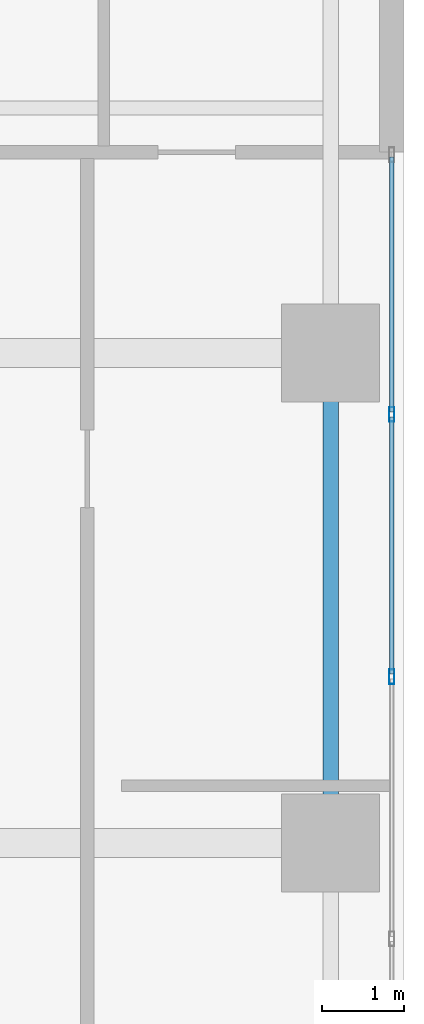
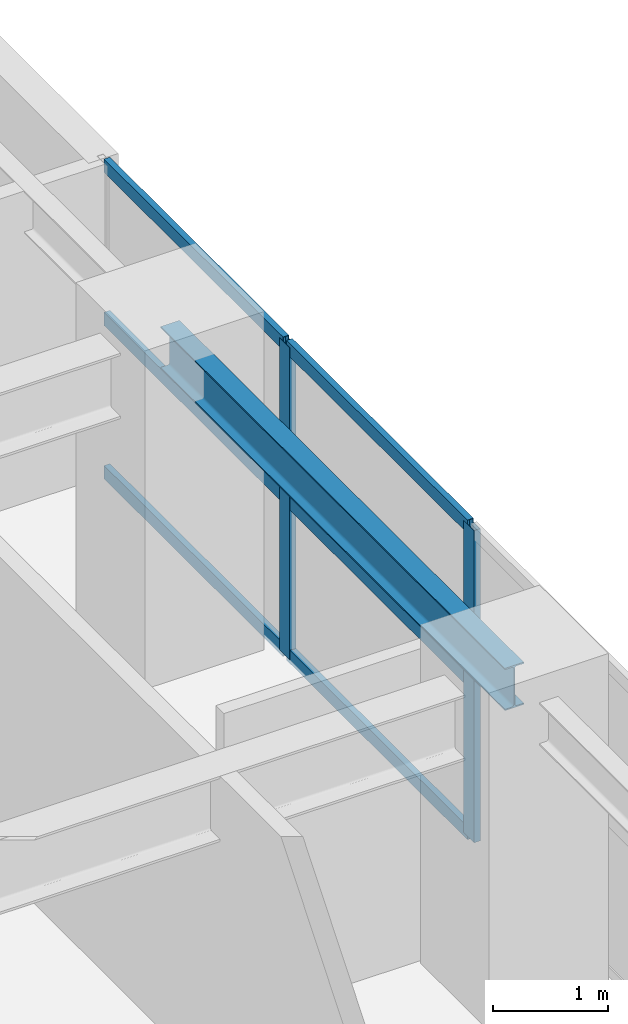
# One storey, part 9 of 24: 8 members, 1 beam, 1 element without a shape of its own.
"""IFC4 building model written with IfcOpenShell, lengths in metres."""

from ifc_helpers import new_model, si_unit, direction, frame, origin, origin_2d, place, context, subcontext, project, spatial, hollow_rectangle, i_section, extrude, source, transform, mapped, material, layer, layer_set, material_profile, profile_set, type_object, element, aggregate, save


model = new_model("IFC4")

# Units and contexts
model_context = context("Model", 3, precision=1e-05, world=origin(), true_north=direction((0.0, 1.0)))
body_context = subcontext(model_context, "Body", "Model", "MODEL_VIEW")
ifc_project = project(units=[si_unit("LENGTHUNIT", "METRE"), si_unit("AREAUNIT", "SQUARE_METRE"), si_unit("VOLUMEUNIT", "CUBIC_METRE"), si_unit("PLANEANGLEUNIT", "RADIAN"), si_unit("MASSUNIT", "GRAM", prefix="KILO")], contexts=[model_context])

# Site, building, storey
site_placement = place(None, origin())
site = spatial("IfcSite", under=ifc_project, at=site_placement, CompositionType="ELEMENT")
building_placement = place(site_placement, origin())
building = spatial("IfcBuilding", under=site, at=building_placement, Name="Khoralis Quay Care Tower", CompositionType="ELEMENT")
storey_placement = place(building_placement, frame((0.0, 0.0, 62.10009765625)))
storey = spatial("IfcBuildingStorey", under=building, at=storey_placement, Name="L16", CompositionType="ELEMENT", Elevation=62.10009765625)

# Beam
ifc_material_1 = material(Name="Steel S355", Category="steel")
ifc_material_profile_1 = material_profile(ifc_material_1, i_section(OverallWidth=0.18994140625, OverallDepth=0.449951171875, WebThickness=0.009521484375, FlangeThickness=0.0146484375, FilletRadius=0.02099609375, at=origin_2d()), Name="Steel S355")
ifc_profile_set_1 = profile_set([ifc_material_profile_1], Name="Steel S355")
beam_type = type_object("IfcBeamType", Name="BM-IPE450", PredefinedType="SPANDREL", material=ifc_profile_set_1)
shared_shape_1 = source(origin(), body_context, "Body", "SweptSolid", [
    extrude(i_section(OverallWidth=0.18994140625, OverallDepth=0.449951171875, WebThickness=0.009521484375, FlangeThickness=0.0146484375, FilletRadius=0.02099609375, at=origin_2d()), origin(), (0.0, 0.0, 1.0), 6.0),
])
beam_placement = place(storey_placement, frame((47.10009765625, 24.0, 3.094970703125), z_axis=(0.0, 1.0, 0.0), x_axis=(-1.0, 0.0, 0.0)))
element("IfcBeam", 1, at=beam_placement, inside=storey, type_object=beam_type, Name="BM-TSP-L16-22", PredefinedType="SPANDREL", context=body_context, shape_type="MappedRepresentation", body=[
    mapped(shared_shape_1, transform((0.0, 0.0, 0.0), scale=1.0)),
])

# Curtain wall, members
ifc_material_2 = material(Name="Pale anodised aluminium", Category="aluminium")
ifc_layer = layer(ifc_material_2, 0.179931640625)
ifc_layer_set = layer_set([ifc_layer], Name="Pale anodised aluminium")
curtain_wall_type = type_object("IfcCurtainWallType", Name="CW-SYS-Z1", PredefinedType="NOTDEFINED", material=ifc_layer_set)
curtain_wall_placement = place(storey_placement, origin())
curtain_wall = element("IfcCurtainWall", 2, at=curtain_wall_placement, inside=storey, type_object=curtain_wall_type, Name="L16 Unitised Curtain Wall CW-L16-P1-E5", PredefinedType="NOTDEFINED")
ifc_material_profile_2 = material_profile(ifc_material_2, hollow_rectangle(XDim=0.06005859375, YDim=0.139892578125, WallThickness=0.00390625, at=origin_2d()), Name="Pale anodised aluminium")
ifc_profile_set_2 = profile_set([ifc_material_profile_2], Name="Pale anodised aluminium")
member_type_1 = type_object("IfcMemberType", Name="CW-TRN-140", PredefinedType="USERDEFINED", material=ifc_profile_set_2)
shared_shape_2 = source(origin(), body_context, "Body", "SweptSolid", [
    extrude(hollow_rectangle(XDim=0.06005859375, YDim=0.139892578125, WallThickness=0.00390625, at=origin_2d()), origin(), (0.0, 0.0, 1.0), 3.152099609375),
])
member_1_placement = place(storey_placement, frame((47.85009765625, 26.06591796875, 0.02978515625), z_axis=(0.0, 1.0, 0.0), x_axis=(-1.0, 0.0, 0.0)))
member_1 = element("IfcMember", 3, at=member_1_placement, type_object=member_type_1, Name="CW1 transom 4.1", ObjectType="TRANSOM", PredefinedType="USERDEFINED", context=body_context, shape_type="MappedRepresentation", body=[
    mapped(shared_shape_2, transform((0.0, 0.0, 0.0), scale=1.0)),
])
member_2_placement = place(storey_placement, frame((47.85009765625, 26.06591796875, 1.659912109375), z_axis=(0.0, 1.0, 0.0), x_axis=(-1.0, 0.0, 0.0)))
member_2 = element("IfcMember", 4, at=member_2_placement, type_object=member_type_1, Name="CW1 transom 4.2", ObjectType="TRANSOM", PredefinedType="USERDEFINED", context=body_context, shape_type="MappedRepresentation", body=[
    mapped(shared_shape_2, transform((0.0, 0.0, 0.0), scale=1.0)),
])
member_3_placement = place(storey_placement, frame((47.85009765625, 26.06591796875, 3.289794921875), z_axis=(0.0, 1.0, 0.0), x_axis=(-1.0, 0.0, 0.0)))
member_3 = element("IfcMember", 5, at=member_3_placement, type_object=member_type_1, Name="CW1 transom 4.3", ObjectType="TRANSOM", PredefinedType="USERDEFINED", context=body_context, shape_type="MappedRepresentation", body=[
    mapped(shared_shape_2, transform((0.0, 0.0, 0.0), scale=1.0)),
])
shared_shape_3 = source(origin(), body_context, "Body", "SweptSolid", [
    extrude(hollow_rectangle(XDim=0.06005859375, YDim=0.139892578125, WallThickness=0.00390625, at=origin_2d()), origin(), (0.0, 0.0, 1.0), 3.121826171875),
])
member_4_placement = place(storey_placement, frame((47.85009765625, 29.278076171875, 0.02978515625), z_axis=(0.0, 1.0, 0.0), x_axis=(-1.0, 0.0, 0.0)))
member_4 = element("IfcMember", 6, at=member_4_placement, type_object=member_type_1, Name="CW1 transom 5.1", ObjectType="TRANSOM", PredefinedType="USERDEFINED", context=body_context, shape_type="MappedRepresentation", body=[
    mapped(shared_shape_3, transform((0.0, 0.0, 0.0), scale=1.0)),
])
member_5_placement = place(storey_placement, frame((47.85009765625, 29.278076171875, 1.659912109375), z_axis=(0.0, 1.0, 0.0), x_axis=(-1.0, 0.0, 0.0)))
member_5 = element("IfcMember", 7, at=member_5_placement, type_object=member_type_1, Name="CW1 transom 5.2", ObjectType="TRANSOM", PredefinedType="USERDEFINED", context=body_context, shape_type="MappedRepresentation", body=[
    mapped(shared_shape_3, transform((0.0, 0.0, 0.0), scale=1.0)),
])
member_6_placement = place(storey_placement, frame((47.85009765625, 29.278076171875, 3.289794921875), z_axis=(0.0, 1.0, 0.0), x_axis=(-1.0, 0.0, 0.0)))
member_6 = element("IfcMember", 8, at=member_6_placement, type_object=member_type_1, Name="CW1 transom 5.3", ObjectType="TRANSOM", PredefinedType="USERDEFINED", context=body_context, shape_type="MappedRepresentation", body=[
    mapped(shared_shape_3, transform((0.0, 0.0, 0.0), scale=1.0)),
])
ifc_material_profile_3 = material_profile(ifc_material_2, hollow_rectangle(XDim=0.06494140625, YDim=0.179931640625, WallThickness=0.00390625, at=origin_2d()), Name="Pale anodised aluminium")
ifc_profile_set_3 = profile_set([ifc_material_profile_3], Name="Pale anodised aluminium")
member_type_2 = type_object("IfcMemberType", Name="CW-MUL-180", PredefinedType="MULLION", material=ifc_profile_set_3)
shared_shape_4 = source(origin(), body_context, "Body", "SweptSolid", [
    extrude(hollow_rectangle(XDim=0.06494140625, YDim=0.179931640625, WallThickness=0.00390625, at=origin_2d()), origin(), (0.0, 0.0, 1.0), 3.31982421875),
])
member_7_placement = place(storey_placement, frame((47.85009765625, 26.035888671875, 0.0), z_axis=(0.0, 0.0, 1.0), x_axis=(-1.0, 0.0, 0.0)))
member_7 = element("IfcMember", 9, at=member_7_placement, type_object=member_type_2, Name="CW1 mullion 4", PredefinedType="MULLION", context=body_context, shape_type="MappedRepresentation", body=[
    mapped(shared_shape_4, transform((0.0, 0.0, 0.0), scale=1.0)),
])
member_8_placement = place(storey_placement, frame((47.85009765625, 29.248046875, 0.0), z_axis=(0.0, 0.0, 1.0), x_axis=(-1.0, 0.0, 0.0)))
member_8 = element("IfcMember", 10, at=member_8_placement, type_object=member_type_2, Name="CW1 mullion 5", PredefinedType="MULLION", context=body_context, shape_type="MappedRepresentation", body=[
    mapped(shared_shape_4, transform((0.0, 0.0, 0.0), scale=1.0)),
])
aggregate(curtain_wall, [member_7, member_8, member_1, member_2, member_3, member_4, member_5, member_6])

save(model, "model.ifc")
